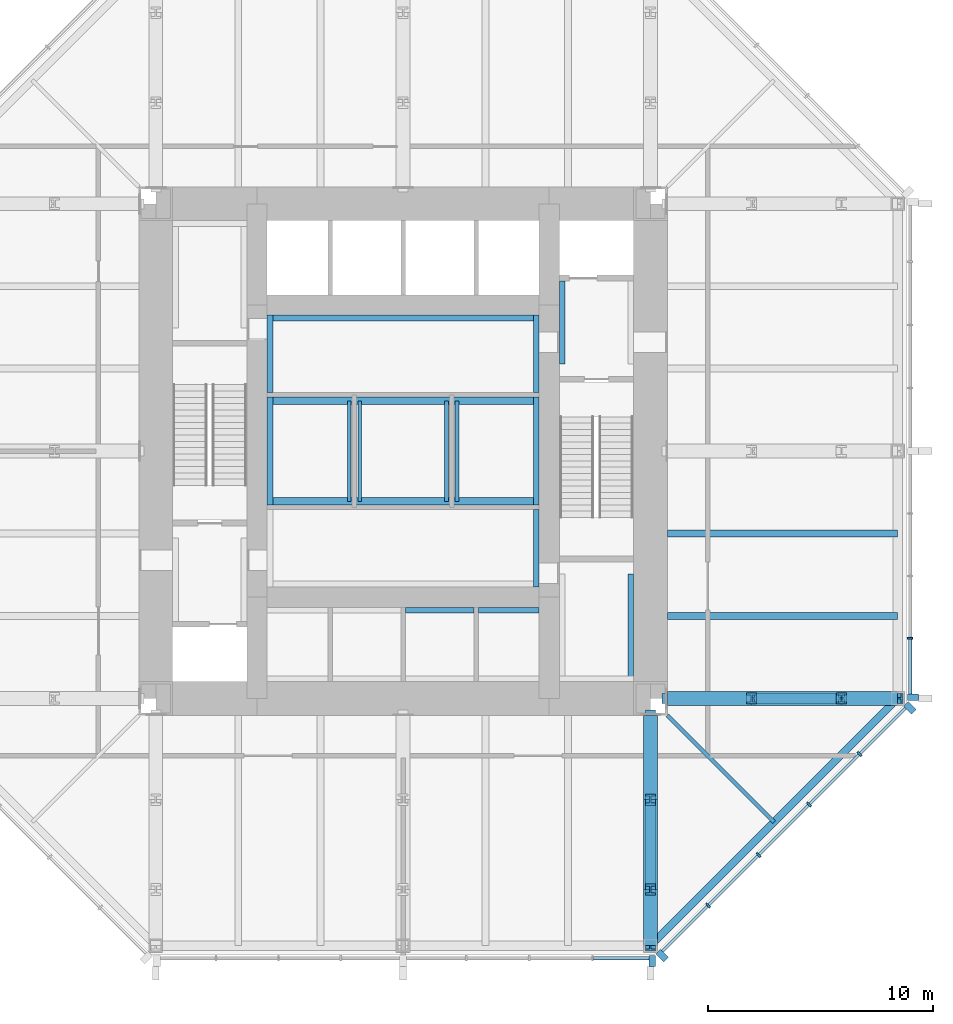
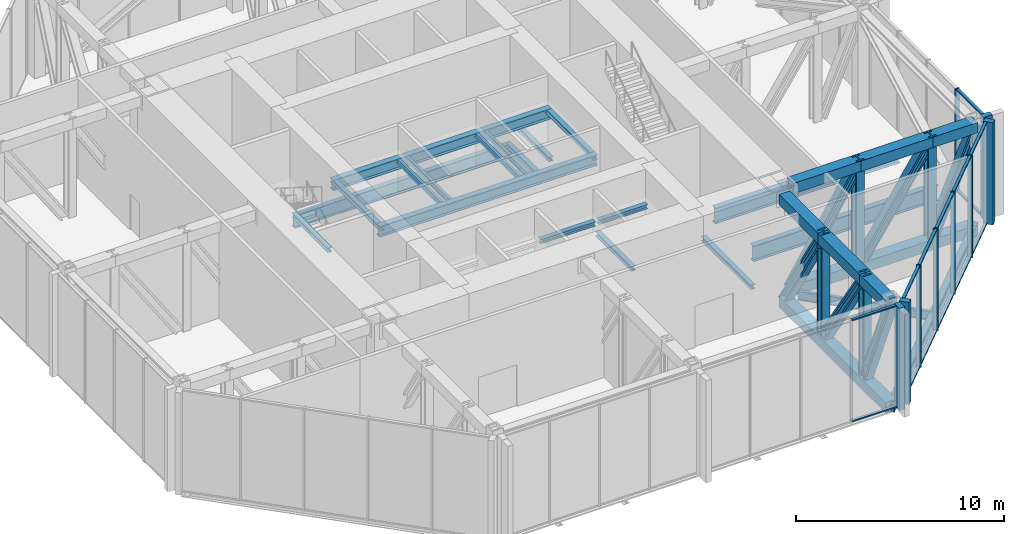
# One storey, part 4 of 11: 33 members, 28 beams, 3 elements without a shape of their own.
"""IFC4 building model written with IfcOpenShell, lengths in metres."""

from ifc_helpers import new_model, si_unit, direction, frame, origin, origin_2d, place, context, subcontext, project, spatial, rectangle, hollow_rectangle, i_section, extrude, material, material_profile, profile_set, type_object, element, aggregate, save


model = new_model("IFC4")

# Units and contexts
model_context = context("Model", 3, precision=1e-05, world=origin(), true_north=direction((0.0, 1.0)))
body_context = subcontext(model_context, "Body", "Model", "MODEL_VIEW")
ifc_project = project(units=[si_unit("LENGTHUNIT", "METRE"), si_unit("AREAUNIT", "SQUARE_METRE"), si_unit("VOLUMEUNIT", "CUBIC_METRE"), si_unit("PLANEANGLEUNIT", "RADIAN"), si_unit("MASSUNIT", "GRAM", prefix="KILO")], contexts=[model_context])

# Site, building, storey
site_placement = place(None, origin())
site = spatial("IfcSite", under=ifc_project, at=site_placement, CompositionType="ELEMENT")
building_placement = place(site_placement, origin())
building = spatial("IfcBuilding", under=site, at=building_placement, Name="Trevanion Tower", CompositionType="ELEMENT")
storey_placement = place(building_placement, frame((0.0, 0.0, 178.699951171875)))
storey = spatial("IfcBuildingStorey", under=building, at=storey_placement, Name="L42", CompositionType="ELEMENT", Elevation=178.699951171875)

# Beams
ifc_material_1 = material(Name="Steel ASTM A992 Grade 50", Category="steel")
ifc_material_profile_1 = material_profile(ifc_material_1, i_section(OverallWidth=0.1650390625, OverallDepth=0.52587890625, WebThickness=0.0087890625, FlangeThickness=0.011474609375, at=origin_2d()), Name="W21X44")
ifc_profile_set_1 = profile_set([ifc_material_profile_1], Name="Steel ASTM A992 Grade 50")
beam_type_1 = type_object("IfcBeamType", Name="B10 W21X44", PredefinedType="BEAM", material=ifc_profile_set_1)
beam_1_placement = place(storey_placement, frame((11.75, -11.75, -0.452880859375), z_axis=(0.707106781187, -0.707106781187, 0.0), x_axis=(0.707106781187, 0.707106781187, 0.0)))
element("IfcBeam", 1, at=beam_1_placement, inside=storey, type_object=beam_type_1, Name="B10 L42", PredefinedType="BEAM", context=body_context, shape_type="SweptSolid", body=[
    extrude(i_section(OverallWidth=0.1650390625, OverallDepth=0.52587890625, WebThickness=0.0087890625, FlangeThickness=0.011474609375, at=origin_2d()), origin(), (0.0, 0.0, 1.0), 6.717529296875),
])
ifc_material_2 = material(Name="Steel ASTM A992 Grade 50", Category="steel")
ifc_material_profile_2 = material_profile(ifc_material_2, i_section(OverallWidth=0.307373046875, OverallDepth=0.922119140625, WebThickness=0.018310546875, FlangeThickness=0.030029296875, at=origin_2d()), Name="W36X182")
ifc_profile_set_2 = profile_set([ifc_material_profile_2], Name="Steel ASTM A992 Grade 50")
beam_type_2 = type_object("IfcBeamType", Name="B9 W36X182", PredefinedType="BEAM", material=ifc_profile_set_2)
for number, where, z_axis, x_axis, name in (
    (2, (11.75, -7.333251953125, -0.65087890625), (1.0, 0.0, 0.0), (0.0, 1.0, 0.0), "B9 L42"),
    (3, (11.75, -3.666748046875, -0.65087890625), (1.0, 0.0, 0.0), (0.0, 1.0, 0.0), "B9 L42"),
):
    element("IfcBeam", number, at=place(storey_placement, frame(where, z_axis=z_axis, x_axis=x_axis)), inside=storey, type_object=beam_type_2, Name=name, PredefinedType="BEAM", context=body_context, shape_type="SweptSolid", body=[
        extrude(i_section(OverallWidth=0.307373046875, OverallDepth=0.922119140625, WebThickness=0.018310546875, FlangeThickness=0.030029296875, at=origin_2d()), origin(), (0.0, 0.0, 1.0), 10.25),
    ])

# Curtain wall, member
ifc_material_3 = material(Name="Aluminium louvres", Category="aluminium")
curtain_wall_type = type_object("IfcCurtainWallType", Name="CWL curtain wall", PredefinedType="USERDEFINED", material=ifc_material_3)
curtain_wall_1_placement = place(storey_placement, origin())
curtain_wall_1 = element("IfcCurtainWall", 4, at=curtain_wall_1_placement, inside=storey, type_object=curtain_wall_type, Name="CWL L42 0", ObjectType="LOUVRE SCREEN", PredefinedType="USERDEFINED")
ifc_material_4 = material(Name="Aluminium extrusion, anodised bronze", Category="aluminium")
ifc_material_profile_3 = material_profile(ifc_material_4, rectangle(XDim=0.074951171875, YDim=0.25, at=origin_2d()), Name="CWL mullion")
ifc_profile_set_3 = profile_set([ifc_material_profile_3], Name="Aluminium extrusion, anodised bronze")
member_type_1 = type_object("IfcMemberType", Name="CWL mullion", PredefinedType="MULLION", material=ifc_profile_set_3)
member_1_placement = place(storey_placement, frame((22.550048828125, -8.323486328125, -0.18994140625), z_axis=(0.0, 0.0, 1.0), x_axis=(0.0, 1.0, 0.0)))
member_1 = element("IfcMember", 5, at=member_1_placement, type_object=member_type_1, Name="CWL mullion 2", PredefinedType="MULLION", context=body_context, shape_type="SweptSolid", body=[
    extrude(rectangle(XDim=0.074951171875, YDim=0.25, at=origin_2d()), origin(), (0.0, 0.0, 1.0), 6.0),
])

# Curtain wall, members
curtain_wall_2_placement = place(storey_placement, origin())
curtain_wall_2 = element("IfcCurtainWall", 6, at=curtain_wall_2_placement, inside=storey, type_object=curtain_wall_type, Name="CWL L42 7", ObjectType="LOUVRE SCREEN", PredefinedType="USERDEFINED")
member_2_placement = place(storey_placement, frame((13.56591796875, -20.2119140625, -0.18994140625), z_axis=(0.0, 0.0, 1.0), x_axis=(0.707106781187, 0.707106781187, 0.0)))
member_2 = element("IfcMember", 7, at=member_2_placement, type_object=member_type_1, Name="CWL mullion 2", PredefinedType="MULLION", context=body_context, shape_type="SweptSolid", body=[
    extrude(rectangle(XDim=0.074951171875, YDim=0.25, at=origin_2d()), origin(), (0.0, 0.0, 1.0), 6.0),
])
member_3_placement = place(storey_placement, frame((15.811767578125, -17.966064453125, -0.18994140625), z_axis=(0.0, 0.0, 1.0), x_axis=(0.707106781187, 0.707106781187, 0.0)))
member_3 = element("IfcMember", 8, at=member_3_placement, type_object=member_type_1, Name="CWL mullion 3", PredefinedType="MULLION", context=body_context, shape_type="SweptSolid", body=[
    extrude(rectangle(XDim=0.074951171875, YDim=0.25, at=origin_2d()), origin(), (0.0, 0.0, 1.0), 6.0),
])
member_4_placement = place(storey_placement, frame((18.057861328125, -15.719970703125, -0.18994140625), z_axis=(0.0, 0.0, 1.0), x_axis=(0.707106781187, 0.707106781187, 0.0)))
member_4 = element("IfcMember", 9, at=member_4_placement, type_object=member_type_1, Name="CWL mullion 4", PredefinedType="MULLION", context=body_context, shape_type="SweptSolid", body=[
    extrude(rectangle(XDim=0.074951171875, YDim=0.25, at=origin_2d()), origin(), (0.0, 0.0, 1.0), 6.0),
])
member_5_placement = place(storey_placement, frame((20.303955078125, -13.473876953125, -0.18994140625), z_axis=(0.0, 0.0, 1.0), x_axis=(0.707106781187, 0.707106781187, 0.0)))
member_5 = element("IfcMember", 10, at=member_5_placement, type_object=member_type_1, Name="CWL mullion 5", PredefinedType="MULLION", context=body_context, shape_type="SweptSolid", body=[
    extrude(rectangle(XDim=0.074951171875, YDim=0.25, at=origin_2d()), origin(), (0.0, 0.0, 1.0), 6.0),
])

# Member
ifc_material_5 = material(Name="Aluminium extrusion, anodised bronze", Category="aluminium")
ifc_material_profile_4 = material_profile(ifc_material_5, rectangle(XDim=0.300048828125, YDim=0.5, at=origin_2d()), Name="CWL pier mullion")
ifc_profile_set_4 = profile_set([ifc_material_profile_4], Name="Aluminium extrusion, anodised bronze")
member_type_2 = type_object("IfcMemberType", Name="CWL pier mullion", PredefinedType="MULLION", material=ifc_profile_set_4)
member_6_placement = place(storey_placement, frame((22.675048828125, -10.94775390625, -0.18994140625), z_axis=(0.0, 0.0, 1.0), x_axis=(0.0, 1.0, 0.0)))
member_6 = element("IfcMember", 11, at=member_6_placement, type_object=member_type_2, Name="CWL pier mullion 1", PredefinedType="MULLION", context=body_context, shape_type="SweptSolid", body=[
    extrude(rectangle(XDim=0.300048828125, YDim=0.5, at=origin_2d()), origin(), (0.0, 0.0, 1.0), 6.0),
])

# Curtain wall, member
curtain_wall_3_placement = place(storey_placement, origin())
curtain_wall_3 = element("IfcCurtainWall", 12, at=curtain_wall_3_placement, inside=storey, type_object=curtain_wall_type, Name="CWL L42 6", ObjectType="LOUVRE SCREEN", PredefinedType="USERDEFINED")
member_7_placement = place(storey_placement, frame((11.077880859375, -22.675048828125, -0.18994140625), z_axis=(0.0, 0.0, 1.0), x_axis=(1.0, 0.0, 0.0)))
member_7 = element("IfcMember", 13, at=member_7_placement, type_object=member_type_2, Name="CWL pier mullion 9", PredefinedType="MULLION", context=body_context, shape_type="SweptSolid", body=[
    extrude(rectangle(XDim=0.300048828125, YDim=0.5, at=origin_2d()), origin(), (0.0, 0.0, 1.0), 6.0),
])

# Member
member_8_placement = place(storey_placement, frame((11.51416015625, -22.4404296875, -0.18994140625), z_axis=(0.0, 0.0, 1.0), x_axis=(0.707106781187, 0.707106781187, 0.0)))
member_8 = element("IfcMember", 14, at=member_8_placement, type_object=member_type_2, Name="CWL pier mullion 1", PredefinedType="MULLION", context=body_context, shape_type="SweptSolid", body=[
    extrude(rectangle(XDim=0.300048828125, YDim=0.5, at=origin_2d()), origin(), (0.0, 0.0, 1.0), 6.0),
])

member_9_placement = place(storey_placement, frame((22.5322265625, -11.42236328125, -0.18994140625), z_axis=(0.0, 0.0, 1.0), x_axis=(0.707106781187, 0.707106781187, 0.0)))
member_9 = element("IfcMember", 15, at=member_9_placement, type_object=member_type_2, Name="CWL pier mullion 6", PredefinedType="MULLION", context=body_context, shape_type="SweptSolid", body=[
    extrude(rectangle(XDim=0.300048828125, YDim=0.5, at=origin_2d()), origin(), (0.0, 0.0, 1.0), 6.0),
])

ifc_material_6 = material(Name="Aluminium extrusion, anodised bronze", Category="aluminium")
ifc_material_profile_5 = material_profile(ifc_material_6, rectangle(XDim=0.14990234375, YDim=0.074951171875, at=origin_2d()), Name="CWL transom")
ifc_profile_set_5 = profile_set([ifc_material_profile_5], Name="Aluminium extrusion, anodised bronze")
member_type_3 = type_object("IfcMemberType", Name="CWL transom", PredefinedType="USERDEFINED", material=ifc_profile_set_5)
member_10_placement = place(storey_placement, frame((22.550048828125, -10.7978515625, -0.15234375), z_axis=(0.0, 1.0, 0.0), x_axis=(-1.0, 0.0, 0.0)))
member_10 = element("IfcMember", 16, at=member_10_placement, type_object=member_type_3, Name="CWL transom 1.1", ObjectType="TRANSOM", PredefinedType="USERDEFINED", context=body_context, shape_type="SweptSolid", body=[
    extrude(rectangle(XDim=0.14990234375, YDim=0.074951171875, at=origin_2d()), origin(), (0.0, 0.0, 1.0), 2.43701171875),
])

member_11_placement = place(storey_placement, frame((22.550048828125, -10.7978515625, 5.7724609375), z_axis=(0.0, 1.0, 0.0), x_axis=(-1.0, 0.0, 0.0)))
member_11 = element("IfcMember", 17, at=member_11_placement, type_object=member_type_3, Name="CWL transom 1.2", ObjectType="TRANSOM", PredefinedType="USERDEFINED", context=body_context, shape_type="SweptSolid", body=[
    extrude(rectangle(XDim=0.14990234375, YDim=0.074951171875, at=origin_2d()), origin(), (0.0, 0.0, 1.0), 2.43701171875),
])

aggregate(curtain_wall_1, [member_6, member_1, member_10, member_11])

member_12_placement = place(storey_placement, frame((8.45849609375, -22.550048828125, -0.15234375), z_axis=(1.0, 0.0, 0.0), x_axis=(0.0, 1.0, 0.0)))
member_12 = element("IfcMember", 18, at=member_12_placement, type_object=member_type_3, Name="CWL transom 8.1", ObjectType="TRANSOM", PredefinedType="USERDEFINED", context=body_context, shape_type="SweptSolid", body=[
    extrude(rectangle(XDim=0.14990234375, YDim=0.074951171875, at=origin_2d()), origin(), (0.0, 0.0, 1.0), 2.46923828125),
])

member_13_placement = place(storey_placement, frame((8.45849609375, -22.550048828125, 5.7724609375), z_axis=(1.0, 0.0, 0.0), x_axis=(0.0, 1.0, 0.0)))
member_13 = element("IfcMember", 19, at=member_13_placement, type_object=member_type_3, Name="CWL transom 8.2", ObjectType="TRANSOM", PredefinedType="USERDEFINED", context=body_context, shape_type="SweptSolid", body=[
    extrude(rectangle(XDim=0.14990234375, YDim=0.074951171875, at=origin_2d()), origin(), (0.0, 0.0, 1.0), 2.46923828125),
])

aggregate(curtain_wall_3, [member_7, member_12, member_13])

member_14_placement = place(storey_placement, frame((11.531982421875, -22.245849609375, -0.15234375), z_axis=(0.707106781187, 0.707106781187, 0.0), x_axis=(-0.707106781187, 0.707106781187, 0.0)))
member_14 = element("IfcMember", 20, at=member_14_placement, type_object=member_type_3, Name="CWL transom 1.1", ObjectType="TRANSOM", PredefinedType="USERDEFINED", context=body_context, shape_type="SweptSolid", body=[
    extrude(rectangle(XDim=0.14990234375, YDim=0.074951171875, at=origin_2d()), origin(), (0.0, 0.0, 1.0), 2.8388671875),
])

member_15_placement = place(storey_placement, frame((11.531982421875, -22.245849609375, 5.7724609375), z_axis=(0.707106781187, 0.707106781187, 0.0), x_axis=(-0.707106781187, 0.707106781187, 0.0)))
member_15 = element("IfcMember", 21, at=member_15_placement, type_object=member_type_3, Name="CWL transom 1.2", ObjectType="TRANSOM", PredefinedType="USERDEFINED", context=body_context, shape_type="SweptSolid", body=[
    extrude(rectangle(XDim=0.14990234375, YDim=0.074951171875, at=origin_2d()), origin(), (0.0, 0.0, 1.0), 2.8388671875),
])

member_16_placement = place(storey_placement, frame((13.59228515625, -20.185546875, -0.15234375), z_axis=(0.707106781187, 0.707106781187, 0.0), x_axis=(-0.707106781187, 0.707106781187, 0.0)))
member_16 = element("IfcMember", 22, at=member_16_placement, type_object=member_type_3, Name="CWL transom 2.1", ObjectType="TRANSOM", PredefinedType="USERDEFINED", context=body_context, shape_type="SweptSolid", body=[
    extrude(rectangle(XDim=0.14990234375, YDim=0.074951171875, at=origin_2d()), origin(), (0.0, 0.0, 1.0), 3.1015625),
])

member_17_placement = place(storey_placement, frame((13.59228515625, -20.185546875, 5.7724609375), z_axis=(0.707106781187, 0.707106781187, 0.0), x_axis=(-0.707106781187, 0.707106781187, 0.0)))
member_17 = element("IfcMember", 23, at=member_17_placement, type_object=member_type_3, Name="CWL transom 2.2", ObjectType="TRANSOM", PredefinedType="USERDEFINED", context=body_context, shape_type="SweptSolid", body=[
    extrude(rectangle(XDim=0.14990234375, YDim=0.074951171875, at=origin_2d()), origin(), (0.0, 0.0, 1.0), 3.1015625),
])

member_18_placement = place(storey_placement, frame((15.83837890625, -17.939453125, -0.15234375), z_axis=(0.707106781187, 0.707106781187, 0.0), x_axis=(-0.707106781187, 0.707106781187, 0.0)))
member_18 = element("IfcMember", 24, at=member_18_placement, type_object=member_type_3, Name="CWL transom 3.1", ObjectType="TRANSOM", PredefinedType="USERDEFINED", context=body_context, shape_type="SweptSolid", body=[
    extrude(rectangle(XDim=0.14990234375, YDim=0.074951171875, at=origin_2d()), origin(), (0.0, 0.0, 1.0), 3.1015625),
])

member_19_placement = place(storey_placement, frame((15.83837890625, -17.939453125, 5.7724609375), z_axis=(0.707106781187, 0.707106781187, 0.0), x_axis=(-0.707106781187, 0.707106781187, 0.0)))
member_19 = element("IfcMember", 25, at=member_19_placement, type_object=member_type_3, Name="CWL transom 3.2", ObjectType="TRANSOM", PredefinedType="USERDEFINED", context=body_context, shape_type="SweptSolid", body=[
    extrude(rectangle(XDim=0.14990234375, YDim=0.074951171875, at=origin_2d()), origin(), (0.0, 0.0, 1.0), 3.1015625),
])

member_20_placement = place(storey_placement, frame((18.08447265625, -15.693359375, -0.15234375), z_axis=(0.707106781187, 0.707106781187, 0.0), x_axis=(-0.707106781187, 0.707106781187, 0.0)))
member_20 = element("IfcMember", 26, at=member_20_placement, type_object=member_type_3, Name="CWL transom 4.1", ObjectType="TRANSOM", PredefinedType="USERDEFINED", context=body_context, shape_type="SweptSolid", body=[
    extrude(rectangle(XDim=0.14990234375, YDim=0.074951171875, at=origin_2d()), origin(), (0.0, 0.0, 1.0), 3.10107421875),
])

member_21_placement = place(storey_placement, frame((18.08447265625, -15.693359375, 5.7724609375), z_axis=(0.707106781187, 0.707106781187, 0.0), x_axis=(-0.707106781187, 0.707106781187, 0.0)))
member_21 = element("IfcMember", 27, at=member_21_placement, type_object=member_type_3, Name="CWL transom 4.2", ObjectType="TRANSOM", PredefinedType="USERDEFINED", context=body_context, shape_type="SweptSolid", body=[
    extrude(rectangle(XDim=0.14990234375, YDim=0.074951171875, at=origin_2d()), origin(), (0.0, 0.0, 1.0), 3.10107421875),
])

member_22_placement = place(storey_placement, frame((20.33056640625, -13.447509765625, -0.15234375), z_axis=(0.707063781595, 0.707149778163, 0.0), x_axis=(-0.707149778163, 0.707063781595, 0.0)))
member_22 = element("IfcMember", 28, at=member_22_placement, type_object=member_type_3, Name="CWL transom 5.1", ObjectType="TRANSOM", PredefinedType="USERDEFINED", context=body_context, shape_type="SweptSolid", body=[
    extrude(rectangle(XDim=0.14990234375, YDim=0.074951171875, at=origin_2d()), origin(), (0.0, 0.0, 1.0), 2.8388671875),
])

member_23_placement = place(storey_placement, frame((20.33056640625, -13.447509765625, 5.7724609375), z_axis=(0.707063781595, 0.707149778163, 0.0), x_axis=(-0.707149778163, 0.707063781595, 0.0)))
member_23 = element("IfcMember", 29, at=member_23_placement, type_object=member_type_3, Name="CWL transom 5.2", ObjectType="TRANSOM", PredefinedType="USERDEFINED", context=body_context, shape_type="SweptSolid", body=[
    extrude(rectangle(XDim=0.14990234375, YDim=0.074951171875, at=origin_2d()), origin(), (0.0, 0.0, 1.0), 2.8388671875),
])

aggregate(curtain_wall_2, [member_8, member_2, member_3, member_4, member_5, member_9, member_14, member_15, member_16, member_17, member_18, member_19, member_20, member_21, member_22, member_23])

# Beams
ifc_material_7 = material(Name="Steel ASTM A992 Grade 50", Category="steel")
ifc_material_profile_6 = material_profile(ifc_material_7, i_section(OverallWidth=0.256591796875, OverallDepth=0.26416015625, WebThickness=0.011962890625, FlangeThickness=0.01953125, at=origin_2d()), Name="W10X68")
ifc_profile_set_6 = profile_set([ifc_material_profile_6], Name="Steel ASTM A992 Grade 50")
beam_type_3 = type_object("IfcBeamType", Name="LB1 W10X68", PredefinedType="BEAM", material=ifc_profile_set_6)
for number, where, z_axis, x_axis, name in (
    (30, (-5.921630859375, 2.60009765625, -0.33203125), (0.0, 1.0, 0.0), (-1.0, 0.0, 0.0), "LB1 L42"),
    (31, (5.921630859375, 2.60009765625, -0.33203125), (0.0, 1.0, 0.0), (-1.0, 0.0, 0.0), "LB1 L42"),
    (32, (5.921630859375, -6.050048828125, -0.33203125), (0.0, 1.0, 0.0), (-1.0, 0.0, 0.0), "LB1 L42"),
):
    element("IfcBeam", number, at=place(storey_placement, frame(where, z_axis=z_axis, x_axis=x_axis)), inside=storey, type_object=beam_type_3, Name=name, PredefinedType="BEAM", context=body_context, shape_type="SweptSolid", body=[
        extrude(i_section(OverallWidth=0.256591796875, OverallDepth=0.26416015625, WebThickness=0.011962890625, FlangeThickness=0.01953125, at=origin_2d()), origin(), (0.0, 0.0, 1.0), 3.449951171875),
    ])
beam_2_placement = place(storey_placement, frame((7.078369140625, 3.875, -0.33203125), z_axis=(0.0, 1.0, 0.0), x_axis=(-1.0, 0.0, 0.0)))
element("IfcBeam", 33, at=beam_2_placement, inside=storey, type_object=beam_type_3, Name="LB1 L42", PredefinedType="BEAM", context=body_context, shape_type="SweptSolid", body=[
    extrude(i_section(OverallWidth=0.256591796875, OverallDepth=0.26416015625, WebThickness=0.011962890625, FlangeThickness=0.01953125, at=origin_2d()), origin(), (0.0, 0.0, 1.0), 3.699951171875),
])
beam_3_placement = place(storey_placement, frame((10.12158203125, -10.25, -0.33203125), z_axis=(0.0, 1.0, 0.0), x_axis=(-1.0, 0.0, 0.0)))
element("IfcBeam", 34, at=beam_3_placement, inside=storey, type_object=beam_type_3, Name="LB1 L42", PredefinedType="BEAM", context=body_context, shape_type="SweptSolid", body=[
    extrude(i_section(OverallWidth=0.256591796875, OverallDepth=0.26416015625, WebThickness=0.011962890625, FlangeThickness=0.01953125, at=origin_2d()), origin(), (0.0, 0.0, 1.0), 4.77490234375),
])
beam_4_placement = place(storey_placement, frame((0.10009765625, -7.078369140625, 3.968017578125), z_axis=(1.0, 0.0, 0.0), x_axis=(0.0, 1.0, 0.0)))
element("IfcBeam", 35, at=beam_4_placement, inside=storey, type_object=beam_type_3, Name="LB1 L42", PredefinedType="BEAM", context=body_context, shape_type="SweptSolid", body=[
    extrude(i_section(OverallWidth=0.256591796875, OverallDepth=0.26416015625, WebThickness=0.011962890625, FlangeThickness=0.01953125, at=origin_2d()), origin(), (0.0, 0.0, 1.0), 3.0498046875),
])
beam_5_placement = place(storey_placement, frame((3.35009765625, -7.078369140625, 3.968017578125), z_axis=(1.0, 0.0, 0.0), x_axis=(0.0, 1.0, 0.0)))
element("IfcBeam", 36, at=beam_5_placement, inside=storey, type_object=beam_type_3, Name="LB1 L42", PredefinedType="BEAM", context=body_context, shape_type="SweptSolid", body=[
    extrude(i_section(OverallWidth=0.256591796875, OverallDepth=0.26416015625, WebThickness=0.011962890625, FlangeThickness=0.01953125, at=origin_2d()), origin(), (0.0, 0.0, 1.0), 2.699951171875),
])
for number, where, z_axis, x_axis, name in (
    (37, (-5.921630859375, -2.39990234375, 3.968017578125), (0.0, 1.0, 0.0), (-1.0, 0.0, 0.0), "LB1 L42"),
    (38, (5.921630859375, -2.39990234375, 3.968017578125), (0.0, 1.0, 0.0), (-1.0, 0.0, 0.0), "LB1 L42"),
):
    element("IfcBeam", number, at=place(storey_placement, frame(where, z_axis=z_axis, x_axis=x_axis)), inside=storey, type_object=beam_type_3, Name=name, PredefinedType="BEAM", context=body_context, shape_type="SweptSolid", body=[
        extrude(i_section(OverallWidth=0.256591796875, OverallDepth=0.26416015625, WebThickness=0.011962890625, FlangeThickness=0.01953125, at=origin_2d()), origin(), (0.0, 0.0, 1.0), 4.7998046875),
    ])
ifc_material_8 = material(Name="Steel ASTM A992 Grade 50", Category="steel")
ifc_material_profile_7 = material_profile(ifc_material_8, i_section(OverallWidth=0.2666015625, OverallDepth=0.76953125, WebThickness=0.015625, FlangeThickness=0.025390625, at=origin_2d()), Name="W30X132")
ifc_profile_set_7 = profile_set([ifc_material_profile_7], Name="Steel ASTM A992 Grade 50")
beam_type_4 = type_object("IfcBeamType", Name="LB3 W30X132", PredefinedType="BEAM", material=ifc_profile_set_7)
beam_6_placement = place(storey_placement, frame((-6.050048828125, 5.91650390625, -0.584716796875), z_axis=(1.0, 0.0, 0.0), x_axis=(0.0, 1.0, 0.0)))
element("IfcBeam", 39, at=beam_6_placement, inside=storey, type_object=beam_type_4, Name="LB3 L42", PredefinedType="BEAM", context=body_context, shape_type="SweptSolid", body=[
    extrude(i_section(OverallWidth=0.2666015625, OverallDepth=0.76953125, WebThickness=0.015625, FlangeThickness=0.025390625, at=origin_2d()), origin(), (0.0, 0.0, 1.0), 12.10009765625),
])
ifc_material_9 = material(Name="Steel ASTM A588 Grade 50", Category="steel")
ifc_material_profile_8 = material_profile(ifc_material_9, hollow_rectangle(XDim=0.609619140625, YDim=0.609619140625, WallThickness=0.203125, at=origin_2d()), Name="BOX24X24X8")
ifc_profile_set_8 = profile_set([ifc_material_profile_8], Name="Steel ASTM A588 Grade 50")
beam_type_5 = type_object("IfcBeamType", Name="OT2-CH BOX24X24X8", PredefinedType="BEAM", material=ifc_profile_set_8)
beam_7_placement = place(storey_placement, frame((11.75, -11.0, -0.494873046875), z_axis=(1.0, 0.0, 0.0), x_axis=(0.0, 1.0, 0.0)))
element("IfcBeam", 40, at=beam_7_placement, inside=storey, type_object=beam_type_5, Name="OT2 16/F outrigger and transfer truss chord", PredefinedType="BEAM", context=body_context, shape_type="SweptSolid", body=[
    extrude(hollow_rectangle(XDim=0.609619140625, YDim=0.609619140625, WallThickness=0.203125, at=origin_2d()), origin(), (0.0, 0.0, 1.0), 10.25),
])
beam_8_placement = place(storey_placement, frame((11.75, -11.0, 5.505126953125), z_axis=(1.0, 0.0, 0.0), x_axis=(0.0, 1.0, 0.0)))
element("IfcBeam", 41, at=beam_8_placement, inside=storey, type_object=beam_type_5, Name="OT2 16/F outrigger and transfer truss chord", PredefinedType="BEAM", context=body_context, shape_type="SweptSolid", body=[
    extrude(hollow_rectangle(XDim=0.609619140625, YDim=0.609619140625, WallThickness=0.203125, at=origin_2d()), origin(), (0.0, 0.0, 1.0), 3.75),
])
beam_9_placement = place(storey_placement, frame((15.5, -11.0, 5.505126953125), z_axis=(1.0, 0.0, 0.0), x_axis=(0.0, 1.0, 0.0)))
element("IfcBeam", 42, at=beam_9_placement, inside=storey, type_object=beam_type_5, Name="OT2 16/F outrigger and transfer truss chord", PredefinedType="BEAM", context=body_context, shape_type="SweptSolid", body=[
    extrude(hollow_rectangle(XDim=0.609619140625, YDim=0.609619140625, WallThickness=0.203125, at=origin_2d()), origin(), (0.0, 0.0, 1.0), 4.0),
])
beam_10_placement = place(storey_placement, frame((19.5, -11.0, 5.505126953125), z_axis=(1.0, 0.0, 0.0), x_axis=(0.0, 1.0, 0.0)))
element("IfcBeam", 43, at=beam_10_placement, inside=storey, type_object=beam_type_5, Name="OT2 16/F outrigger and transfer truss chord", PredefinedType="BEAM", context=body_context, shape_type="SweptSolid", body=[
    extrude(hollow_rectangle(XDim=0.609619140625, YDim=0.609619140625, WallThickness=0.203125, at=origin_2d()), origin(), (0.0, 0.0, 1.0), 2.5),
])
beam_11_placement = place(storey_placement, frame((11.0, -11.75, -0.494873046875), z_axis=(0.0, -1.0, 0.0), x_axis=(1.0, 0.0, 0.0)))
element("IfcBeam", 44, at=beam_11_placement, inside=storey, type_object=beam_type_5, Name="OT2 12/B outrigger and transfer truss chord", PredefinedType="BEAM", context=body_context, shape_type="SweptSolid", body=[
    extrude(hollow_rectangle(XDim=0.609619140625, YDim=0.609619140625, WallThickness=0.203125, at=origin_2d()), origin(), (0.0, 0.0, 1.0), 10.25),
])
beam_12_placement = place(storey_placement, frame((11.0, -11.75, 5.505126953125), z_axis=(0.0, -1.0, 0.0), x_axis=(1.0, 0.0, 0.0)))
element("IfcBeam", 45, at=beam_12_placement, inside=storey, type_object=beam_type_5, Name="OT2 12/B outrigger and transfer truss chord", PredefinedType="BEAM", context=body_context, shape_type="SweptSolid", body=[
    extrude(hollow_rectangle(XDim=0.609619140625, YDim=0.609619140625, WallThickness=0.203125, at=origin_2d()), origin(), (0.0, 0.0, 1.0), 3.75),
])
beam_13_placement = place(storey_placement, frame((11.0, -15.5, 5.505126953125), z_axis=(0.0, -1.0, 0.0), x_axis=(1.0, 0.0, 0.0)))
element("IfcBeam", 46, at=beam_13_placement, inside=storey, type_object=beam_type_5, Name="OT2 12/B outrigger and transfer truss chord", PredefinedType="BEAM", context=body_context, shape_type="SweptSolid", body=[
    extrude(hollow_rectangle(XDim=0.609619140625, YDim=0.609619140625, WallThickness=0.203125, at=origin_2d()), origin(), (0.0, 0.0, 1.0), 4.0),
])
beam_14_placement = place(storey_placement, frame((11.0, -19.5, 5.505126953125), z_axis=(0.0, -1.0, 0.0), x_axis=(1.0, 0.0, 0.0)))
element("IfcBeam", 47, at=beam_14_placement, inside=storey, type_object=beam_type_5, Name="OT2 12/B outrigger and transfer truss chord", PredefinedType="BEAM", context=body_context, shape_type="SweptSolid", body=[
    extrude(hollow_rectangle(XDim=0.609619140625, YDim=0.609619140625, WallThickness=0.203125, at=origin_2d()), origin(), (0.0, 0.0, 1.0), 2.5),
])

# Members
ifc_material_10 = material(Name="Steel ASTM A992 Grade 50", Category="steel")
ifc_material_profile_9 = material_profile(ifc_material_10, i_section(OverallWidth=0.44189453125, OverallDepth=0.53076171875, WebThickness=0.06591796875, FlangeThickness=0.105712890625, at=origin_2d()), Name="W14X605")
ifc_profile_set_9 = profile_set([ifc_material_profile_9], Name="Steel ASTM A992 Grade 50")
member_type_4 = type_object("IfcMemberType", Name="OT2-D W14X605", PredefinedType="BRACE", material=ifc_profile_set_9)
member_24_placement = place(storey_placement, frame((11.75, -11.0, -0.494873046875), z_axis=(0.529998940003, 0.0, 0.847998304005), x_axis=(0.0, 1.0, 0.0)))
element("IfcMember", 48, at=member_24_placement, inside=storey, type_object=member_type_4, Name="OT2 16/F outrigger and transfer truss diagonal", PredefinedType="BRACE", context=body_context, shape_type="SweptSolid", body=[
    extrude(i_section(OverallWidth=0.44189453125, OverallDepth=0.53076171875, WebThickness=0.06591796875, FlangeThickness=0.105712890625, at=origin_2d()), origin(), (0.0, 0.0, 1.0), 7.075439453125),
])
member_25_placement = place(storey_placement, frame((15.5, -11.0, -0.494873046875), z_axis=(0.554700196225, 0.0, 0.832050294338), x_axis=(0.0, 1.0, 0.0)))
element("IfcMember", 49, at=member_25_placement, inside=storey, type_object=member_type_4, Name="OT2 16/F outrigger and transfer truss diagonal", PredefinedType="BRACE", context=body_context, shape_type="SweptSolid", body=[
    extrude(i_section(OverallWidth=0.44189453125, OverallDepth=0.53076171875, WebThickness=0.06591796875, FlangeThickness=0.105712890625, at=origin_2d()), origin(), (0.0, 0.0, 1.0), 7.211181640625),
])
member_26_placement = place(storey_placement, frame((19.5, -11.0, -0.494873046875), z_axis=(0.384615384615, 0.0, 0.923076923077), x_axis=(0.0, 1.0, 0.0)))
element("IfcMember", 50, at=member_26_placement, inside=storey, type_object=member_type_4, Name="OT2 16/F outrigger and transfer truss diagonal", PredefinedType="BRACE", context=body_context, shape_type="SweptSolid", body=[
    extrude(i_section(OverallWidth=0.44189453125, OverallDepth=0.53076171875, WebThickness=0.06591796875, FlangeThickness=0.105712890625, at=origin_2d()), origin(), (0.0, 0.0, 1.0), 6.5),
])
member_27_placement = place(storey_placement, frame((11.0, -11.75, -0.494873046875), z_axis=(0.0, -0.529998940003, 0.847998304005), x_axis=(1.0, 0.0, 0.0)))
element("IfcMember", 51, at=member_27_placement, inside=storey, type_object=member_type_4, Name="OT2 12/B outrigger and transfer truss diagonal", PredefinedType="BRACE", context=body_context, shape_type="SweptSolid", body=[
    extrude(i_section(OverallWidth=0.44189453125, OverallDepth=0.53076171875, WebThickness=0.06591796875, FlangeThickness=0.105712890625, at=origin_2d()), origin(), (0.0, 0.0, 1.0), 7.075439453125),
])
member_28_placement = place(storey_placement, frame((11.0, -15.5, -0.494873046875), z_axis=(0.0, -0.554700196225, 0.832050294338), x_axis=(1.0, 0.0, 0.0)))
element("IfcMember", 52, at=member_28_placement, inside=storey, type_object=member_type_4, Name="OT2 12/B outrigger and transfer truss diagonal", PredefinedType="BRACE", context=body_context, shape_type="SweptSolid", body=[
    extrude(i_section(OverallWidth=0.44189453125, OverallDepth=0.53076171875, WebThickness=0.06591796875, FlangeThickness=0.105712890625, at=origin_2d()), origin(), (0.0, 0.0, 1.0), 7.211181640625),
])
member_29_placement = place(storey_placement, frame((11.0, -19.5, -0.494873046875), z_axis=(0.0, -0.384615384615, 0.923076923077), x_axis=(1.0, 0.0, 0.0)))
element("IfcMember", 53, at=member_29_placement, inside=storey, type_object=member_type_4, Name="OT2 12/B outrigger and transfer truss diagonal", PredefinedType="BRACE", context=body_context, shape_type="SweptSolid", body=[
    extrude(i_section(OverallWidth=0.44189453125, OverallDepth=0.53076171875, WebThickness=0.06591796875, FlangeThickness=0.105712890625, at=origin_2d()), origin(), (0.0, 0.0, 1.0), 6.5),
])
ifc_material_11 = material(Name="Steel ASTM A992 Grade 50", Category="steel")
ifc_material_profile_10 = material_profile(ifc_material_11, i_section(OverallWidth=0.436767578125, OverallDepth=0.51318359375, WebThickness=0.060546875, FlangeThickness=0.096923828125, at=origin_2d()), Name="W14X550")
ifc_profile_set_10 = profile_set([ifc_material_profile_10], Name="Steel ASTM A992 Grade 50")
member_type_5 = type_object("IfcMemberType", Name="OT2-V W14X550", PredefinedType="POST", material=ifc_profile_set_10)
for number, where, z_axis, x_axis, name in (
    (54, (15.5, -11.0, -0.494873046875), (0.0, 0.0, 1.0), (1.0, 0.0, 0.0), "OT2 16/F outrigger and transfer truss vertical"),
    (55, (19.5, -11.0, -0.494873046875), (0.0, 0.0, 1.0), (1.0, 0.0, 0.0), "OT2 16/F outrigger and transfer truss vertical"),
    (56, (11.0, -15.5, -0.494873046875), (0.0, 0.0, 1.0), (1.0, 0.0, 0.0), "OT2 12/B outrigger and transfer truss vertical"),
    (57, (11.0, -19.5, -0.494873046875), (0.0, 0.0, 1.0), (1.0, 0.0, 0.0), "OT2 12/B outrigger and transfer truss vertical"),
):
    element("IfcMember", number, at=place(storey_placement, frame(where, z_axis=z_axis, x_axis=x_axis)), inside=storey, type_object=member_type_5, Name=name, PredefinedType="POST", context=body_context, shape_type="SweptSolid", body=[
        extrude(i_section(OverallWidth=0.436767578125, OverallDepth=0.51318359375, WebThickness=0.060546875, FlangeThickness=0.096923828125, at=origin_2d()), origin(), (0.0, 0.0, 1.0), 6.304931640625),
    ])

# Beams
ifc_material_12 = material(Name="Steel ASTM A992 Grade 50", Category="steel")
ifc_material_profile_11 = material_profile(ifc_material_12, i_section(OverallWidth=0.32763671875, OverallDepth=0.622314453125, WebThickness=0.015380859375, FlangeThickness=0.0244140625, at=origin_2d()), Name="W24X131")
ifc_profile_set_11 = profile_set([ifc_material_profile_11], Name="Steel ASTM A992 Grade 50")
beam_type_6 = type_object("IfcBeamType", Name="PB1 W24X131", PredefinedType="BEAM", material=ifc_profile_set_11)
for number, where, z_axis, x_axis, name in (
    (58, (-6.050048828125, -2.236083984375, 3.7890625), (1.0, 0.0, 0.0), (0.0, 1.0, 0.0), "PB1 L42"),
    (59, (-6.050048828125, 2.236083984375, 3.7890625), (1.0, 0.0, 0.0), (0.0, 1.0, 0.0), "PB1 L42"),
):
    element("IfcBeam", number, at=place(storey_placement, frame(where, z_axis=z_axis, x_axis=x_axis)), inside=storey, type_object=beam_type_6, Name=name, PredefinedType="BEAM", context=body_context, shape_type="SweptSolid", body=[
        extrude(i_section(OverallWidth=0.32763671875, OverallDepth=0.622314453125, WebThickness=0.015380859375, FlangeThickness=0.0244140625, at=origin_2d()), origin(), (0.0, 0.0, 1.0), 12.10009765625),
    ])
ifc_material_13 = material(Name="Steel ASTM A992 Grade 50", Category="steel")
ifc_material_profile_12 = material_profile(ifc_material_13, i_section(OverallWidth=0.164794921875, OverallDepth=0.309814453125, WebThickness=0.005859375, FlangeThickness=0.009765625, at=origin_2d()), Name="W12X26")
ifc_profile_set_12 = profile_set([ifc_material_profile_12], Name="Steel ASTM A992 Grade 50")
beam_type_7 = type_object("IfcBeamType", Name="PB2 W12X26", PredefinedType="BEAM", material=ifc_profile_set_12)
for number, where, z_axis, x_axis, name in (
    (60, (-2.399169921875, -2.236083984375, 3.945068359375), (0.0, 1.0, 0.0), (-1.0, 0.0, 0.0), "PB2 L42"),
    (61, (-1.934326171875, -2.236083984375, 3.945068359375), (0.0, 1.0, 0.0), (-1.0, 0.0, 0.0), "PB2 L42"),
    (62, (1.934326171875, -2.236083984375, 3.945068359375), (0.0, 1.0, 0.0), (-1.0, 0.0, 0.0), "PB2 L42"),
    (63, (2.399169921875, -2.236083984375, 3.945068359375), (0.0, 1.0, 0.0), (-1.0, 0.0, 0.0), "PB2 L42"),
):
    element("IfcBeam", number, at=place(storey_placement, frame(where, z_axis=z_axis, x_axis=x_axis)), inside=storey, type_object=beam_type_7, Name=name, PredefinedType="BEAM", context=body_context, shape_type="SweptSolid", body=[
        extrude(i_section(OverallWidth=0.164794921875, OverallDepth=0.309814453125, WebThickness=0.005859375, FlangeThickness=0.009765625, at=origin_2d()), origin(), (0.0, 0.0, 1.0), 4.47216796875),
    ])
ifc_material_14 = material(Name="Steel ASTM A992 Grade 50", Category="steel")
ifc_material_profile_13 = material_profile(ifc_material_14, i_section(OverallWidth=0.330078125, OverallDepth=0.647705078125, WebThickness=0.0205078125, FlangeThickness=0.037109375, at=origin_2d()), Name="W24X192")
ifc_profile_set_13 = profile_set([ifc_material_profile_13], Name="Steel ASTM A992 Grade 50")
beam_type_8 = type_object("IfcBeamType", Name="SB7 W24X192", PredefinedType="SPANDREL", material=ifc_profile_set_13)
beam_15_placement = place(storey_placement, frame((11.0, -22.0, -0.513916015625), z_axis=(0.707106781187, 0.707106781187, 0.0), x_axis=(-0.707106781187, 0.707106781187, 0.0)))
element("IfcBeam", 64, at=beam_15_placement, inside=storey, type_object=beam_type_8, Name="SB7 L42", PredefinedType="SPANDREL", context=body_context, shape_type="SweptSolid", body=[
    extrude(i_section(OverallWidth=0.330078125, OverallDepth=0.647705078125, WebThickness=0.0205078125, FlangeThickness=0.037109375, at=origin_2d()), origin(), (0.0, 0.0, 1.0), 15.556396484375),
])

save(model, "model.ifc")
